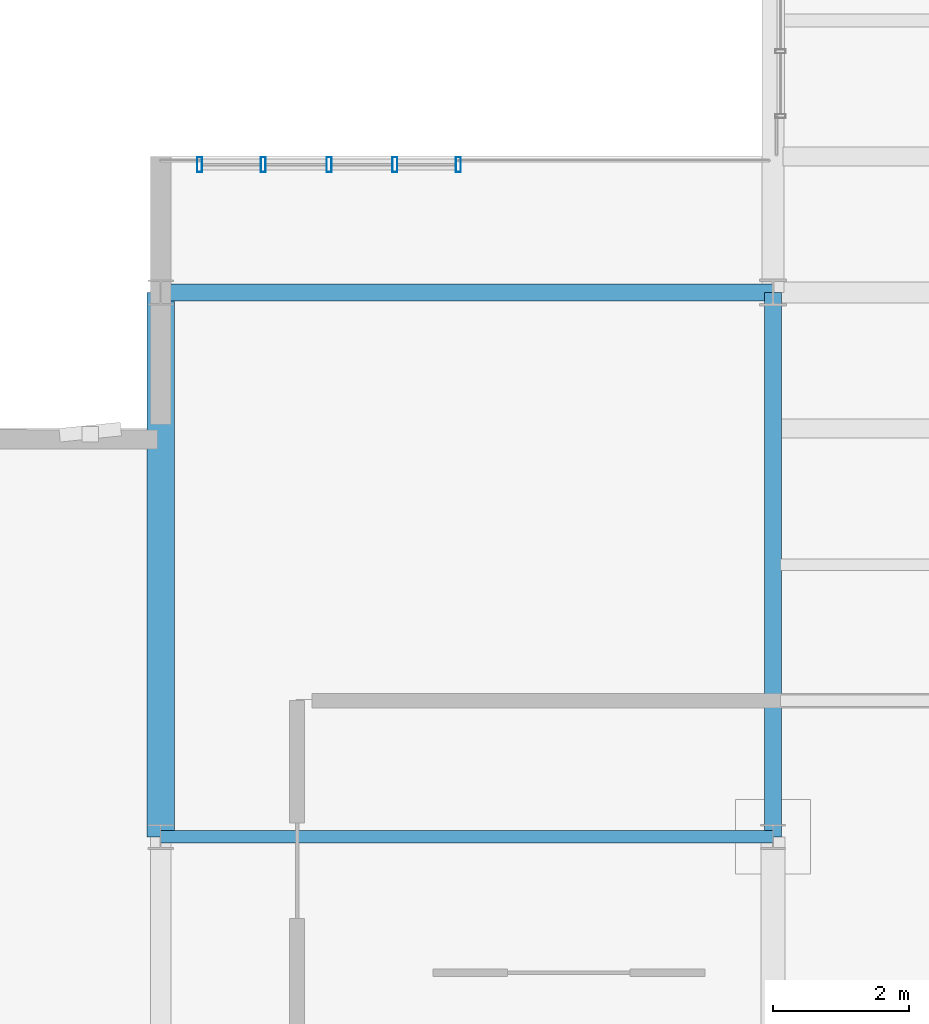
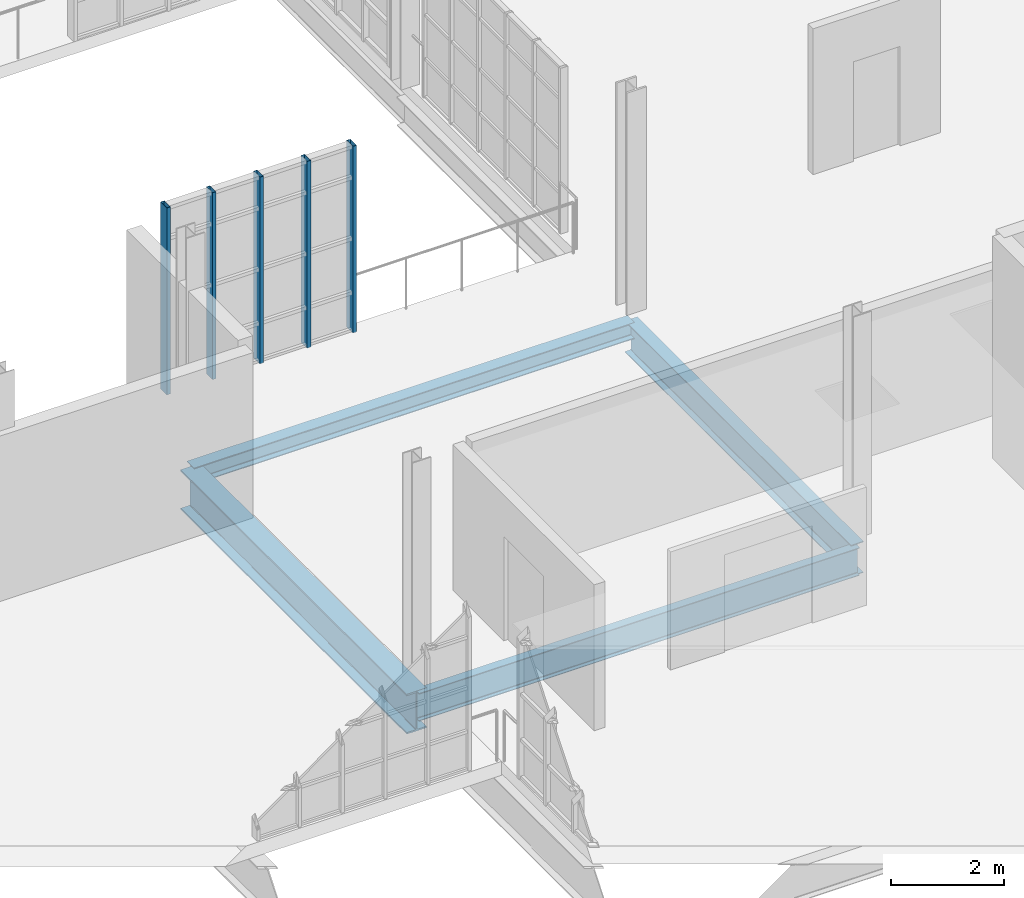
# One storey, part 27 of 122: 5 members, 4 beams, 1 element without a shape of its own.
"""IFC4 building model written with IfcOpenShell, lengths in metres."""

from ifc_helpers import new_model, si_unit, direction, frame, origin, origin_2d, place, context, subcontext, project, spatial, hollow_rectangle, i_section, extrude, material, layer, layer_set, material_profile, profile_set, type_object, element, aggregate, save


model = new_model("IFC4")

# Units and contexts
model_context = context("Model", 3, precision=1e-05, world=origin(), true_north=direction((0.0, 1.0)))
body_context = subcontext(model_context, "Body", "Model", "MODEL_VIEW")
ifc_project = project(units=[si_unit("LENGTHUNIT", "METRE"), si_unit("AREAUNIT", "SQUARE_METRE"), si_unit("VOLUMEUNIT", "CUBIC_METRE"), si_unit("PLANEANGLEUNIT", "RADIAN"), si_unit("MASSUNIT", "GRAM", prefix="KILO"), si_unit("THERMODYNAMICTEMPERATUREUNIT", "KELVIN"), si_unit("POWERUNIT", "WATT")], contexts=[model_context])

# Site, building, storey
site_placement = place(None, origin())
site = spatial("IfcSite", under=ifc_project, at=site_placement, CompositionType="ELEMENT")
building_placement = place(site_placement, origin())
building = spatial("IfcBuilding", under=site, at=building_placement, Name="Zelmaris Science Centre", CompositionType="ELEMENT")
storey_placement = place(building_placement, frame((0.0, 0.0, 10.800048828125)))
storey = spatial("IfcBuildingStorey", under=building, at=storey_placement, Name="L02", CompositionType="ELEMENT", Elevation=10.800048828125)

# Curtain wall, members
ifc_material_1 = material(Name="Anodised architectural aluminium 6063-T6", Category="aluminium")
ifc_layer = layer(ifc_material_1, 0.199951171875, Name="Anodised architectural aluminium 6063-T6")
ifc_layer_set = layer_set([ifc_layer], Name="Anodised architectural aluminium 6063-T6")
curtain_wall_type = type_object("IfcCurtainWallType", Name="Curtain Wall CW-02", PredefinedType="USERDEFINED", material=ifc_layer_set)
curtain_wall_placement = place(storey_placement, origin())
curtain_wall = element("IfcCurtainWall", 1, at=curtain_wall_placement, inside=storey, type_object=curtain_wall_type, Name="L02 Unitised curtain wall 262", ObjectType="GLAZED CURTAIN WALL", PredefinedType="USERDEFINED")
ifc_material_profile_1 = material_profile(ifc_material_1, hollow_rectangle(XDim=0.074951171875, YDim=0.219970703125, WallThickness=0.0048828125, at=origin_2d()), Name="ALU-MUL-75X220")
ifc_profile_set_1 = profile_set([ifc_material_profile_1], Name="Anodised architectural aluminium 6063-T6")
member_type = type_object("IfcMemberType", Name="ALU-MUL-75X220", PredefinedType="MULLION", material=ifc_profile_set_1)
member_1_placement = place(storey_placement, frame((108.573486328125, 33.8798828125, -0.01513671875), z_axis=(0.0, 0.0, 1.0), x_axis=(0.999999999976, 6.981317e-06, 0.0)))
member_1 = element("IfcMember", 2, at=member_1_placement, type_object=member_type, Name="CW-02 mullion 1", PredefinedType="MULLION", context=body_context, shape_type="SweptSolid", body=[
    extrude(hollow_rectangle(XDim=0.074951171875, YDim=0.219970703125, WallThickness=0.0048828125, at=origin_2d()), origin(), (0.0, 0.0, 1.0), 4.03515625),
])
member_2_placement = place(storey_placement, frame((109.507568359375, 33.8798828125, -0.01513671875), z_axis=(0.0, 0.0, 1.0), x_axis=(0.999999999976, 6.981317e-06, 0.0)))
member_2 = element("IfcMember", 3, at=member_2_placement, type_object=member_type, Name="CW-02 mullion 2", PredefinedType="MULLION", context=body_context, shape_type="SweptSolid", body=[
    extrude(hollow_rectangle(XDim=0.074951171875, YDim=0.219970703125, WallThickness=0.0048828125, at=origin_2d()), origin(), (0.0, 0.0, 1.0), 4.03515625),
])
member_3_placement = place(storey_placement, frame((110.47509765625, 33.8798828125, -0.01513671875), z_axis=(0.0, 0.0, 1.0), x_axis=(0.999999999976, 6.981317e-06, 0.0)))
member_3 = element("IfcMember", 4, at=member_3_placement, type_object=member_type, Name="CW-02 mullion 3", PredefinedType="MULLION", context=body_context, shape_type="SweptSolid", body=[
    extrude(hollow_rectangle(XDim=0.074951171875, YDim=0.219970703125, WallThickness=0.0048828125, at=origin_2d()), origin(), (0.0, 0.0, 1.0), 4.03515625),
])
member_4_placement = place(storey_placement, frame((111.442626953125, 33.8798828125, -0.01513671875), z_axis=(0.0, 0.0, 1.0), x_axis=(0.999999999976, 6.981317e-06, 0.0)))
member_4 = element("IfcMember", 5, at=member_4_placement, type_object=member_type, Name="CW-02 mullion 4", PredefinedType="MULLION", context=body_context, shape_type="SweptSolid", body=[
    extrude(hollow_rectangle(XDim=0.074951171875, YDim=0.219970703125, WallThickness=0.0048828125, at=origin_2d()), origin(), (0.0, 0.0, 1.0), 4.03515625),
])
member_5_placement = place(storey_placement, frame((112.37646484375, 33.8798828125, -0.01513671875), z_axis=(0.0, 0.0, 1.0), x_axis=(0.999999999976, 6.981317e-06, 0.0)))
member_5 = element("IfcMember", 6, at=member_5_placement, type_object=member_type, Name="CW-02 mullion 5", PredefinedType="MULLION", context=body_context, shape_type="SweptSolid", body=[
    extrude(hollow_rectangle(XDim=0.074951171875, YDim=0.219970703125, WallThickness=0.0048828125, at=origin_2d()), origin(), (0.0, 0.0, 1.0), 4.03515625),
])
aggregate(curtain_wall, [member_1, member_2, member_3, member_4, member_5])

# Beams
ifc_material_2 = material(Name="Steel ASTM A992 Grade 50", Category="steel")
ifc_material_profile_2 = material_profile(ifc_material_2, i_section(OverallWidth=0.404052734375, OverallDepth=0.861083984375, WebThickness=0.019775390625, FlangeThickness=0.032470703125, FilletRadius=0.02001953125, at=origin_2d()), Name="W33X221")
ifc_profile_set_2 = profile_set([ifc_material_profile_2], Name="Steel ASTM A992 Grade 50")
beam_type_1 = type_object("IfcBeamType", Name="Beam G-28 W33X221", PredefinedType="BEAM", material=ifc_profile_set_2)
beam_1_placement = place(storey_placement, frame((108.0, 24.0, -0.73046875), z_axis=(0.0, 1.0, 0.0), x_axis=(-1.0, 0.0, 0.0)))
element("IfcBeam", 7, at=beam_1_placement, inside=storey, type_object=beam_type_1, Name="L02 North-south girder 513", PredefinedType="BEAM", context=body_context, shape_type="SweptSolid", body=[
    extrude(i_section(OverallWidth=0.404052734375, OverallDepth=0.861083984375, WebThickness=0.019775390625, FlangeThickness=0.032470703125, FilletRadius=0.02001953125, at=origin_2d()), origin(), (0.0, 0.0, 1.0), 8.0),
])
ifc_material_profile_3 = material_profile(ifc_material_2, i_section(OverallWidth=0.25390625, OverallDepth=0.677978515625, WebThickness=0.01171875, FlangeThickness=0.016357421875, FilletRadius=0.01806640625, at=origin_2d()), Name="W27X84")
ifc_profile_set_3 = profile_set([ifc_material_profile_3], Name="Steel ASTM A992 Grade 50")
beam_type_2 = type_object("IfcBeamType", Name="Beam G-36 W27X84", PredefinedType="BEAM", material=ifc_profile_set_3)
beam_2_placement = place(storey_placement, frame((117.0, 24.0, -0.59912109375), z_axis=(0.0, 1.0, 0.0), x_axis=(-1.0, 0.0, 0.0)))
element("IfcBeam", 8, at=beam_2_placement, inside=storey, type_object=beam_type_2, Name="L02 North-south girder 521", PredefinedType="BEAM", context=body_context, shape_type="SweptSolid", body=[
    extrude(i_section(OverallWidth=0.25390625, OverallDepth=0.677978515625, WebThickness=0.01171875, FlangeThickness=0.016357421875, FilletRadius=0.01806640625, at=origin_2d()), origin(), (0.0, 0.0, 1.0), 8.0),
])
ifc_material_profile_4 = material_profile(ifc_material_2, i_section(OverallWidth=0.177978515625, OverallDepth=0.59912109375, WebThickness=0.010009765625, FlangeThickness=0.0126953125, FilletRadius=0.014892578125, at=origin_2d()), Name="W24X55")
ifc_profile_set_4 = profile_set([ifc_material_profile_4], Name="Steel ASTM A992 Grade 50")
beam_type_3 = type_object("IfcBeamType", Name="Beam G-38 W24X55", PredefinedType="BEAM", material=ifc_profile_set_4)
beam_3_placement = place(storey_placement, frame((108.0, 24.0, -0.599609375), z_axis=(1.0, 0.0, 0.0), x_axis=(0.0, 1.0, 0.0)))
element("IfcBeam", 9, at=beam_3_placement, inside=storey, type_object=beam_type_3, Name="L02 East-west girder 554", PredefinedType="BEAM", context=body_context, shape_type="SweptSolid", body=[
    extrude(i_section(OverallWidth=0.177978515625, OverallDepth=0.59912109375, WebThickness=0.010009765625, FlangeThickness=0.0126953125, FilletRadius=0.014892578125, at=origin_2d()), origin(), (0.0, 0.0, 1.0), 9.0),
])
ifc_material_profile_5 = material_profile(ifc_material_2, i_section(OverallWidth=0.25390625, OverallDepth=0.35595703125, WebThickness=0.010498046875, FlangeThickness=0.018310546875, FilletRadius=0.014892578125, at=origin_2d()), Name="W14X68")
ifc_profile_set_5 = profile_set([ifc_material_profile_5], Name="Steel ASTM A992 Grade 50")
beam_type_4 = type_object("IfcBeamType", Name="Beam G-41 W14X68", PredefinedType="BEAM", material=ifc_profile_set_5)
beam_4_placement = place(storey_placement, frame((108.0, 32.0, -0.43798828125), z_axis=(1.0, 0.0, 0.0), x_axis=(0.0, 1.0, 0.0)))
element("IfcBeam", 10, at=beam_4_placement, inside=storey, type_object=beam_type_4, Name="L02 East-west girder 557", PredefinedType="BEAM", context=body_context, shape_type="SweptSolid", body=[
    extrude(i_section(OverallWidth=0.25390625, OverallDepth=0.35595703125, WebThickness=0.010498046875, FlangeThickness=0.018310546875, FilletRadius=0.014892578125, at=origin_2d()), origin(), (0.0, 0.0, 1.0), 9.0),
])

save(model, "model.ifc")
